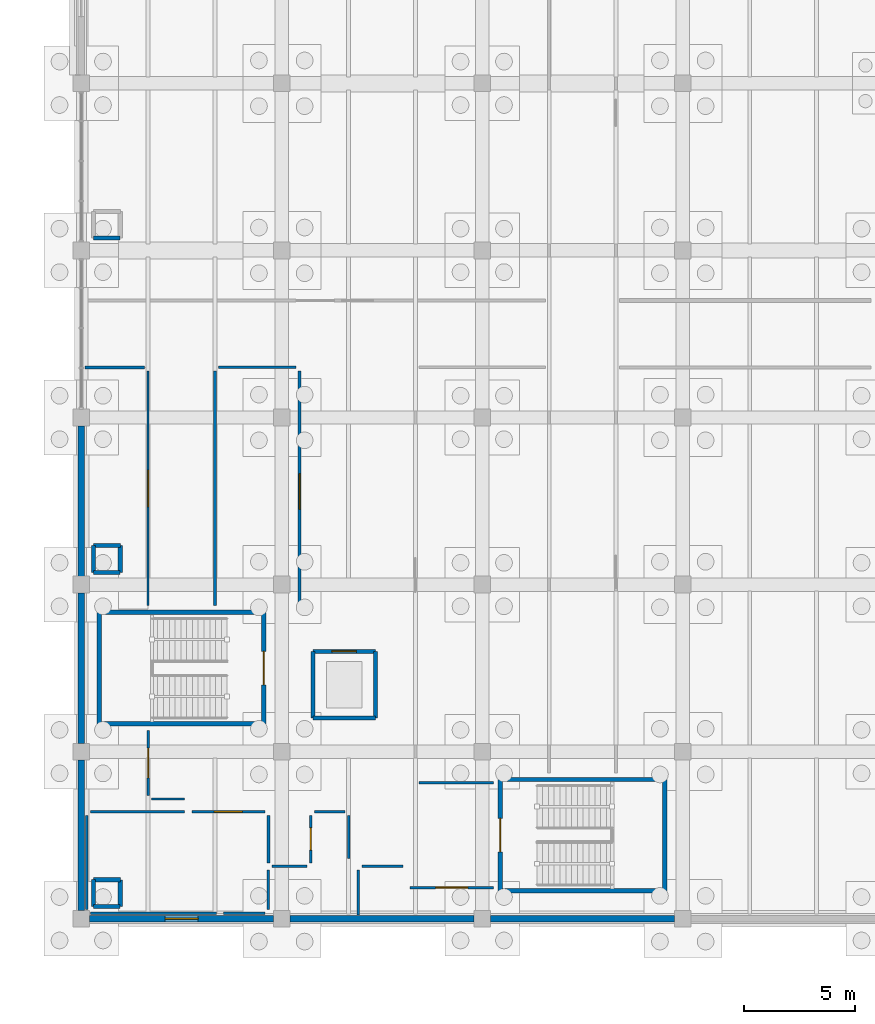
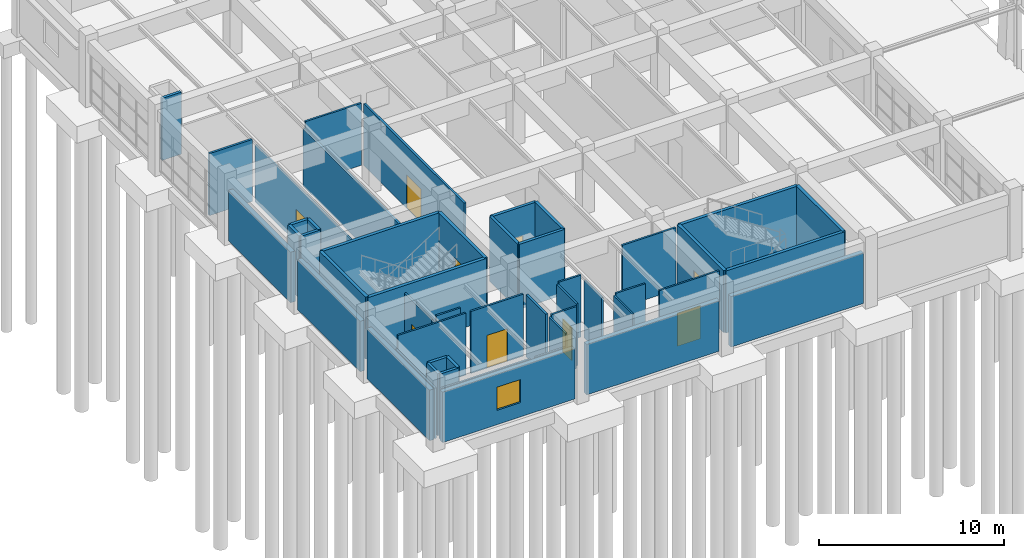
# One storey, part 78 of 93: 49 walls, 9 doors, 1 window, 10 openings.
"""IFC4 building model written with IfcOpenShell, lengths in metres."""

import ifcopenshell
import ifcopenshell.guid

model = None  # the IFC model being written
_history = None  # IfcOwnerHistory: only IFC2X3 demands one
_inside = {}  # id of a spatial element -> (the spatial element, [elements in it])
_under = {}  # id of a project, library or spatial element -> (it, [spatial elements below it])
_declared = {}  # id of a project -> (the project, [libraries it declares])
_typed = {}  # id of a type object -> (the type object, [elements of that type])
_made_of = {}  # id of a material, layer set ... -> (it, [elements and type objects made of it])


def new_model(schema):
    """Start an empty IFC model of exactly this schema.

    Asked for "IFC4X3", IfcOpenShell would pick the latest addendum, in which some entities
    have other attributes; the version numbers below select the first issue.
    IFC2X3 requires an IfcOwnerHistory on every rooted entity: one is made here for all.
    """
    global model, _history
    if schema == "IFC4X3":
        model = ifcopenshell.file(schema_version=(4, 3, 0, 0))
    else:
        model = ifcopenshell.file(schema=schema)
    _inside.clear()
    _under.clear()
    _declared.clear()
    _typed.clear()
    _made_of.clear()
    _history = None
    if model.schema == "IFC2X3":
        org = make("IfcOrganization", Name="unknown")
        user = make(
            "IfcPersonAndOrganization",
            ThePerson=make("IfcPerson", FamilyName="unknown"),
            TheOrganization=org,
        )
        app = make(
            "IfcApplication",
            ApplicationDeveloper=org,
            Version="unknown",
            ApplicationFullName="unknown",
            ApplicationIdentifier="unknown",
        )
        _history = make(
            "IfcOwnerHistory",
            OwningUser=user,
            OwningApplication=app,
            ChangeAction="ADDED",
            CreationDate=0,
        )
    return model


def make(cls, **values):
    """One entity of the class cls with the attributes given. An attribute that is None is left unset."""
    return model.create_entity(
        cls, **{name: value for name, value in values.items() if value is not None}
    )


def rooted(cls, **values):
    """An entity with a GlobalId (a new one), such as an element, a storey or a relation."""
    return make(cls, GlobalId=ifcopenshell.guid.new(), OwnerHistory=_history, **values)


def si_unit(unit_type, name, prefix=None):
    """IfcSIUnit, for example si_unit("LENGTHUNIT", "METRE", prefix="MILLI")."""
    return make("IfcSIUnit", UnitType=unit_type, Prefix=prefix, Name=name)


def assignment(units):
    """IfcUnitAssignment: the units of a project."""
    return None if units is None else make("IfcUnitAssignment", Units=units)


def point(xyz):
    """IfcCartesianPoint."""
    return None if xyz is None else make("IfcCartesianPoint", Coordinates=xyz)


def direction(xyz):
    """IfcDirection."""
    return None if xyz is None else make("IfcDirection", DirectionRatios=xyz)


def frame(location, z_axis=None, x_axis=None):
    """IfcAxis2Placement3D, a coordinate frame: its origin and axes. An axis left out is left unset."""
    return make(
        "IfcAxis2Placement3D",
        Location=point(location),
        Axis=direction(z_axis),
        RefDirection=direction(x_axis),
    )


def frame_2d(location, x_axis=None):
    """IfcAxis2Placement2D, a coordinate frame in the plane: its origin and x axis."""
    return make(
        "IfcAxis2Placement2D", Location=point(location), RefDirection=direction(x_axis)
    )


def origin():
    """The frame at (0, 0, 0) with its axes left unset."""
    return frame((0.0, 0.0, 0.0))


def place(relative_to, where):
    """IfcLocalPlacement: puts the frame where relative to a parent placement (None: the world)."""
    return make(
        "IfcLocalPlacement", PlacementRelTo=relative_to, RelativePlacement=where
    )


def context(
    kind, dimensions, precision=None, world=None, true_north=None, identifier=None
):
    """IfcGeometricRepresentationContext, for example the 3D "Model" context."""
    return make(
        "IfcGeometricRepresentationContext",
        ContextIdentifier=identifier,
        ContextType=kind,
        CoordinateSpaceDimension=dimensions,
        Precision=precision,
        WorldCoordinateSystem=world,
        TrueNorth=true_north,
    )


def subcontext(parent, identifier, kind, view, scale=None):
    """IfcGeometricRepresentationSubContext, for example "Body" below "Model"."""
    return make(
        "IfcGeometricRepresentationSubContext",
        ContextIdentifier=identifier,
        ContextType=kind,
        ParentContext=parent,
        TargetScale=scale,
        TargetView=view,
    )


def project(units=None, contexts=None):
    """IfcProject with its units and contexts."""
    return rooted(
        "IfcProject",
        Name="project",
        RepresentationContexts=contexts,
        UnitsInContext=assignment(units),
    )


def spatial(cls, under=None, at=None, **own):
    """A site, building, storey or space (cls), placed at a placement, below another one or the project."""
    s = rooted(cls, ObjectPlacement=at, **own)
    if under is not None:
        _under.setdefault(under.id(), (under, []))[1].append(s)
    return s


def profile(cls, at=None, kind="AREA", **sizes):
    """A parametric profile (cls). Its sizes go by their IFC names, for example OverallWidth=200.0."""
    return make(cls, ProfileType=kind, Position=at, **sizes)


def rectangle(**sizes):
    """IfcRectangleProfileDef."""
    return profile("IfcRectangleProfileDef", **sizes)


def extrude(swept, where, along, depth):
    """IfcExtrudedAreaSolid: the profile swept, set in the frame where, extruded along a direction by depth."""
    return make(
        "IfcExtrudedAreaSolid",
        SweptArea=swept,
        Position=where,
        ExtrudedDirection=direction(along),
        Depth=depth,
    )


def shape(context_of_items, identifier, shape_type, items):
    """IfcShapeRepresentation: the items that make up one representation, for example the "Body"."""
    return make(
        "IfcShapeRepresentation",
        ContextOfItems=context_of_items,
        RepresentationIdentifier=identifier,
        RepresentationType=shape_type,
        Items=items,
    )


def material(Name=None, Category=None):
    """IfcMaterial."""
    return make("IfcMaterial", Name=Name, Category=Category)


def layer(
    of_material, thickness, ventilated=None, Name=None, Category=None, Priority=None
):
    """IfcMaterialLayer: one layer of a wall or slab, of a material (None: an air gap)."""
    return make(
        "IfcMaterialLayer",
        Material=of_material,
        LayerThickness=thickness,
        IsVentilated=ventilated,
        Name=Name,
        Category=Category,
        Priority=Priority,
    )


def layer_set(layers, Name=None):
    """IfcMaterialLayerSet."""
    return make("IfcMaterialLayerSet", MaterialLayers=layers, LayerSetName=Name)


def made_of(thing, what):
    """Note that an element or type object is made of a material, layer set ...; save() writes the relation."""
    if what is not None:
        _made_of.setdefault(what.id(), (what, []))[1].append(thing)
    return thing


def type_object(cls, material=None, **own):
    """A type object (cls), such as IfcWallType, which elements share."""
    return made_of(rooted(cls, **own), material)


def element(
    cls,
    number,
    at=None,
    inside=None,
    cuts=None,
    type_object=None,
    material=None,
    context=None,
    identifier="Body",
    shape_type=None,
    held_by="IfcProductDefinitionShape",
    body=None,
    shapes=None,
    **own,
):
    """One element of the class cls, such as IfcWall. Its Tag is "e" and its number.

    at: its placement. inside: the storey or other place that contains it. cuts: it is an
    opening in that element (IfcRelVoidsElement). A single representation is given by context,
    identifier, shape_type and body (its items); several are given by shapes. held_by: the class
    of the entity that holds the representations. save() writes the other relations.
    """
    e = rooted(cls, Tag="e%d" % number, ObjectPlacement=at, **own)
    if body is not None:
        shapes = [shape(context, identifier, shape_type, body)]
    if shapes is not None:
        e.Representation = make(held_by, Representations=shapes)
    if inside is not None:
        _inside.setdefault(inside.id(), (inside, []))[1].append(e)
    if cuts is not None:
        rooted(
            "IfcRelVoidsElement", RelatingBuildingElement=cuts, RelatedOpeningElement=e
        )
    if type_object is not None:
        _typed.setdefault(type_object.id(), (type_object, []))[1].append(e)
    return made_of(e, material)


def fill(opening, filler):
    """IfcRelFillsElement: the door or window that sits in an opening."""
    return rooted(
        "IfcRelFillsElement",
        RelatingOpeningElement=opening,
        RelatedBuildingElement=filler,
    )


def aggregate(whole, parts):
    """IfcRelAggregates: a whole, such as a stair, and the parts it consists of."""
    return rooted("IfcRelAggregates", RelatingObject=whole, RelatedObjects=parts)


def save(model, path):
    """Write the relations noted so far, then the file.

    IfcRelAggregates (storeys below a building ...), IfcRelContainedInSpatialStructure (elements
    in a storey), IfcRelDefinesByType, IfcRelAssociatesMaterial and IfcRelDeclares: one each for
    every whole, place, type object, material and project.
    """
    for whole, parts in _under.values():
        aggregate(whole, parts)
    for where, things in _inside.values():
        rooted(
            "IfcRelContainedInSpatialStructure",
            RelatedElements=things,
            RelatingStructure=where,
        )
    for kind, things in _typed.values():
        rooted("IfcRelDefinesByType", RelatedObjects=things, RelatingType=kind)
    for what, things in _made_of.values():
        rooted("IfcRelAssociatesMaterial", RelatedObjects=things, RelatingMaterial=what)
    for by, libraries in _declared.values():
        rooted("IfcRelDeclares", RelatingContext=by, RelatedDefinitions=libraries)
    model.write(path)


model = new_model("IFC4")

# Units and contexts
model_context = context("Model", 3, precision=1e-05, world=origin(), true_north=direction((0.0, 1.0)))
body_context = subcontext(model_context, "Body", "Model", "MODEL_VIEW")
ifc_project = project(units=[si_unit("LENGTHUNIT", "METRE"), si_unit("AREAUNIT", "SQUARE_METRE"), si_unit("VOLUMEUNIT", "CUBIC_METRE"), si_unit("PLANEANGLEUNIT", "RADIAN"), si_unit("MASSUNIT", "GRAM", prefix="KILO")], contexts=[model_context])

# Site, building, storey
site_placement = place(None, origin())
site = spatial("IfcSite", under=ifc_project, at=site_placement, CompositionType="ELEMENT")
building_placement = place(site_placement, origin())
building = spatial("IfcBuilding", under=site, at=building_placement, Name="Marnridge Secondary College", CompositionType="ELEMENT")
storey_placement = place(building_placement, origin())
storey = spatial("IfcBuildingStorey", under=building, at=storey_placement, Name="L00", CompositionType="ELEMENT", Elevation=0.0)

# Wall
ifc_material_1 = material(Name="Concrete C40/50 (AS 3600 N40, 40 MPa)", Category="concrete")
ifc_layer_1 = layer(ifc_material_1, 0.199951171875)
ifc_layer_set_1 = layer_set([ifc_layer_1], Name="WT-CORE-RC200")
wall_type_1 = type_object("IfcWallType", Name="WT-CORE-RC200", PredefinedType="SHEAR", material=ifc_layer_set_1)
wall_1_placement = place(storey_placement, frame((0.800048828125, 8.75, 0.0), z_axis=(0.0, 0.0, 1.0), x_axis=(1.0, 0.0, 0.0)))
element("IfcWall", 1, at=wall_1_placement, inside=storey, type_object=wall_type_1, Name="Stair core shear wall WC-L00-0297", PredefinedType="SHEAR", context=body_context, shape_type="SweptSolid", body=[
    extrude(rectangle(XDim=7.39990234375, YDim=0.199951171875, at=frame_2d((3.699951171875, 0.0))), origin(), (0.0, 0.0, 1.0), 4.090087890625),
])

# Wall, opening, door
wall_2_placement = place(storey_placement, frame((8.199951171875, 13.75, 0.0), z_axis=(0.0, 0.0, 1.0), x_axis=(0.0, -1.0, 0.0)))
wall_2 = element("IfcWall", 2, at=wall_2_placement, inside=storey, type_object=wall_type_1, Name="Stair core shear wall WC-L00-0298", PredefinedType="SHEAR", context=body_context, shape_type="SweptSolid", body=[
    extrude(rectangle(XDim=5.0, YDim=0.199951171875, at=frame_2d((2.5, 0.0))), origin(), (0.0, 0.0, 1.0), 4.090087890625),
])
opening_1_placement = place(wall_2_placement, frame((1.75, 0.0, 0.0)))
opening_1 = element("IfcOpeningElement", 3, at=opening_1_placement, cuts=wall_2, Name="Opening DC-L00-013", PredefinedType="OPENING", context=body_context, shape_type="SweptSolid", body=[
    extrude(rectangle(XDim=1.5, YDim=2.14990234375, at=frame_2d((0.75, 1.074951171875))), frame((0.0, 0.10986328125, 0.0), z_axis=(0.0, -1.0, 0.0), x_axis=(1.0, 0.0, 0.0)), (0.0, 0.0, 1.0), 0.219970703125),
])
ifc_material_2 = material(Name="Fire-rated solid-core timber doorset", Category="wood")
door_type_1 = type_object("IfcDoorType", Name="DT-CORE-FD150", OperationType="DOUBLE_DOOR_SINGLE_SWING", PredefinedType="DOOR", material=ifc_material_2)
door_1_placement = place(opening_1_placement, origin())
door_1 = element("IfcDoor", 4, at=door_1_placement, inside=storey, type_object=door_type_1, Name="Fire stair door DC-L00-013", OperationType="DOUBLE_DOOR_SINGLE_SWING", OverallHeight=2.14990234375, OverallWidth=1.5, PredefinedType="DOOR", context=body_context, shape_type="SweptSolid", body=[
    extrude(rectangle(XDim=1.5, YDim=2.14990234375, at=frame_2d((0.75, 1.074951171875))), frame((0.0, 0.02490234375, 0.0), z_axis=(0.0, -1.0, 0.0), x_axis=(1.0, 0.0, 0.0)), (0.0, 0.0, 1.0), 0.050048828125),
])
fill(opening_1, door_1)

# Walls
wall_3_placement = place(storey_placement, frame((8.199951171875, 13.75, 0.0), z_axis=(0.0, 0.0, 1.0), x_axis=(-1.0, 0.0, 0.0)))
element("IfcWall", 5, at=wall_3_placement, inside=storey, type_object=wall_type_1, Name="Stair core shear wall WC-L00-0299", PredefinedType="SHEAR", context=body_context, shape_type="SweptSolid", body=[
    extrude(rectangle(XDim=7.39990234375, YDim=0.199951171875, at=frame_2d((3.699951171875, 0.0))), origin(), (0.0, 0.0, 1.0), 4.090087890625),
])
wall_4_placement = place(storey_placement, frame((0.800048828125, 13.75, 0.0), z_axis=(0.0, 0.0, 1.0), x_axis=(0.0, -1.0, 0.0)))
element("IfcWall", 6, at=wall_4_placement, inside=storey, type_object=wall_type_1, Name="Stair core shear wall WC-L00-0300", PredefinedType="SHEAR", context=body_context, shape_type="SweptSolid", body=[
    extrude(rectangle(XDim=5.0, YDim=0.199951171875, at=frame_2d((2.5, 0.0))), origin(), (0.0, 0.0, 1.0), 4.090087890625),
])
wall_5_placement = place(storey_placement, frame((18.800048828125, 1.25, 0.0), z_axis=(0.0, 0.0, 1.0), x_axis=(1.0, 0.0, 0.0)))
element("IfcWall", 7, at=wall_5_placement, inside=storey, type_object=wall_type_1, Name="Stair core shear wall WC-L00-0317", PredefinedType="SHEAR", context=body_context, shape_type="SweptSolid", body=[
    extrude(rectangle(XDim=7.39990234375, YDim=0.199951171875, at=frame_2d((3.699951171875, 0.0))), origin(), (0.0, 0.0, 1.0), 4.090087890625),
])
wall_6_placement = place(storey_placement, frame((26.199951171875, 1.25, 0.0), z_axis=(0.0, 0.0, 1.0), x_axis=(0.0, 1.0, 0.0)))
element("IfcWall", 8, at=wall_6_placement, inside=storey, type_object=wall_type_1, Name="Stair core shear wall WC-L00-0318", PredefinedType="SHEAR", context=body_context, shape_type="SweptSolid", body=[
    extrude(rectangle(XDim=5.0, YDim=0.199951171875, at=frame_2d((2.5, 0.0))), origin(), (0.0, 0.0, 1.0), 4.090087890625),
])
wall_7_placement = place(storey_placement, frame((26.199951171875, 6.25, 0.0), z_axis=(0.0, 0.0, 1.0), x_axis=(-1.0, 0.0, 0.0)))
element("IfcWall", 9, at=wall_7_placement, inside=storey, type_object=wall_type_1, Name="Stair core shear wall WC-L00-0319", PredefinedType="SHEAR", context=body_context, shape_type="SweptSolid", body=[
    extrude(rectangle(XDim=7.39990234375, YDim=0.199951171875, at=frame_2d((3.699951171875, 0.0))), origin(), (0.0, 0.0, 1.0), 4.090087890625),
])

# Wall, opening, door
wall_8_placement = place(storey_placement, frame((18.800048828125, 1.25, 0.0), z_axis=(0.0, 0.0, 1.0), x_axis=(0.0, 1.0, 0.0)))
wall_8 = element("IfcWall", 10, at=wall_8_placement, inside=storey, type_object=wall_type_1, Name="Stair core shear wall WC-L00-0320", PredefinedType="SHEAR", context=body_context, shape_type="SweptSolid", body=[
    extrude(rectangle(XDim=5.0, YDim=0.199951171875, at=frame_2d((2.5, 0.0))), origin(), (0.0, 0.0, 1.0), 4.090087890625),
])
opening_2_placement = place(wall_8_placement, frame((1.75, 0.0, 0.0)))
opening_2 = element("IfcOpeningElement", 11, at=opening_2_placement, cuts=wall_8, Name="Opening DC-L00-018", PredefinedType="OPENING", context=body_context, shape_type="SweptSolid", body=[
    extrude(rectangle(XDim=1.5, YDim=2.14990234375, at=frame_2d((0.75, 1.074951171875))), frame((0.0, 0.10986328125, 0.0), z_axis=(0.0, -1.0, 0.0), x_axis=(1.0, 0.0, 0.0)), (0.0, 0.0, 1.0), 0.219970703125),
])
door_2_placement = place(opening_2_placement, origin())
door_2 = element("IfcDoor", 12, at=door_2_placement, inside=storey, type_object=door_type_1, Name="Fire stair door DC-L00-018", OperationType="DOUBLE_DOOR_SINGLE_SWING", OverallHeight=2.14990234375, OverallWidth=1.5, PredefinedType="DOOR", context=body_context, shape_type="SweptSolid", body=[
    extrude(rectangle(XDim=1.5, YDim=2.14990234375, at=frame_2d((0.75, 1.074951171875))), frame((0.0, 0.02490234375, 0.0), z_axis=(0.0, -1.0, 0.0), x_axis=(1.0, 0.0, 0.0)), (0.0, 0.0, 1.0), 0.050048828125),
])
fill(opening_2, door_2)

# Walls
ifc_material_3 = material(Name="Concrete C40/50 (AS 3600 N40, 40 MPa)", Category="concrete")
ifc_layer_2 = layer(ifc_material_3, 0.280029296875)
ifc_layer_set_2 = layer_set([ifc_layer_2], Name="WT-EXT-RC280")
wall_type_2 = type_object("IfcWallType", Name="WT-EXT-RC280", PredefinedType="SOLIDWALL", material=ifc_layer_set_2)
for number, where, z_axis, x_axis, name in (
    (13, (26.62890625, 0.0, 0.0), (0.0, 0.0, 1.0), (-1.0, 0.0, 0.0), "Exterior wall WE-L00-0075"),
    (14, (17.62890625, 0.0, 0.0), (0.0, 0.0, 1.0), (-1.0, 0.0, 0.0), "Exterior wall WE-L00-0076"),
):
    element("IfcWall", number, at=place(storey_placement, frame(where, z_axis=z_axis, x_axis=x_axis)), inside=storey, type_object=wall_type_2, Name=name, PredefinedType="SOLIDWALL", context=body_context, shape_type="SweptSolid", body=[
        extrude(rectangle(XDim=8.2578125, YDim=0.280029296875, at=frame_2d((4.12890625, 0.0))), origin(), (0.0, 0.0, 1.0), 3.33203125),
    ])

# Wall, opening, window
wall_9_placement = place(storey_placement, frame((8.62890625, 0.0, 0.0), z_axis=(0.0, 0.0, 1.0), x_axis=(-1.0, 0.0, 0.0)))
wall_9 = element("IfcWall", 15, at=wall_9_placement, inside=storey, type_object=wall_type_2, Name="Exterior wall WE-L00-0077", PredefinedType="SOLIDWALL", context=body_context, shape_type="SweptSolid", body=[
    extrude(rectangle(XDim=8.2578125, YDim=0.280029296875, at=frame_2d((4.12890625, 0.0))), origin(), (0.0, 0.0, 1.0), 3.33203125),
])
opening_3_placement = place(wall_9_placement, frame((3.388916015625, 0.0, 0.949951171875)))
opening_3 = element("IfcOpeningElement", 16, at=opening_3_placement, cuts=wall_9, Name="Opening WN-L00-0026", PredefinedType="OPENING", context=body_context, shape_type="SweptSolid", body=[
    extrude(rectangle(XDim=1.47998046875, YDim=1.52001953125, at=frame_2d((0.739990234375, 0.760009765625))), frame((0.0, 0.14990234375, 0.0), z_axis=(0.0, -1.0, 0.0), x_axis=(1.0, 0.0, 0.0)), (0.0, 0.0, 1.0), 0.300048828125),
])
ifc_material_4 = material(Name="Solar-control low-E double glazing", Category="glass")
window_type = type_object("IfcWindowType", Name="WN-EXT-V04", PartitioningType="DOUBLE_PANEL_VERTICAL", PredefinedType="WINDOW", material=ifc_material_4)
window_placement = place(opening_3_placement, origin())
window = element("IfcWindow", 17, at=window_placement, inside=storey, type_object=window_type, Name="Facade window WN-L00-0026", OverallHeight=1.52001953125, OverallWidth=1.47998046875, PartitioningType="DOUBLE_PANEL_VERTICAL", PredefinedType="WINDOW", context=body_context, shape_type="SweptSolid", body=[
    extrude(rectangle(XDim=1.47998046875, YDim=1.52001953125, at=frame_2d((0.739990234375, 0.760009765625))), frame((0.0, 0.030029296875, 0.0), z_axis=(0.0, -1.0, 0.0), x_axis=(1.0, 0.0, 0.0)), (0.0, 0.0, 1.0), 0.06005859375),
])
fill(opening_3, window)

# Walls
for number, where, z_axis, x_axis, name in (
    (18, (0.0, 0.37109375, 0.0), (0.0, 0.0, 1.0), (0.0, 1.0, 0.0), "Exterior wall WE-L00-0078"),
    (19, (0.0, 7.87109375, 0.0), (0.0, 0.0, 1.0), (0.0, 1.0, 0.0), "Exterior wall WE-L00-0079"),
    (20, (0.0, 15.37109375, 0.0), (0.0, 0.0, 1.0), (0.0, 1.0, 0.0), "Exterior wall WE-L00-0080"),
):
    element("IfcWall", number, at=place(storey_placement, frame(where, z_axis=z_axis, x_axis=x_axis)), inside=storey, type_object=wall_type_2, Name=name, PredefinedType="SOLIDWALL", context=body_context, shape_type="SweptSolid", body=[
        extrude(rectangle(XDim=6.7578125, YDim=0.280029296875, at=frame_2d((3.37890625, 0.0))), origin(), (0.0, 0.0, 1.0), 3.33203125),
    ])

# Wall, opening, door
ifc_material_5 = material(Name="Acoustic plasterboard partition Rw45", Category="gypsum")
ifc_layer_3 = layer(ifc_material_5, 0.1201171875)
ifc_layer_set_3 = layer_set([ifc_layer_3], Name="WT-PART-AC120")
wall_type_3 = type_object("IfcWallType", Name="WT-PART-AC120", PredefinedType="PARTITIONING", material=ifc_layer_set_3)
wall_10_placement = place(storey_placement, frame((8.239990234375, 4.800048828125, 0.0), z_axis=(0.0, 0.0, 1.0), x_axis=(-1.0, 0.0, 0.0)))
wall_10 = element("IfcWall", 21, at=wall_10_placement, inside=storey, type_object=wall_type_3, Name="Interior partition WP-L00-0099", PredefinedType="PARTITIONING", context=body_context, shape_type="SweptSolid", body=[
    extrude(rectangle(XDim=3.280029296875, YDim=0.1201171875, at=frame_2d((1.64013671875, 0.0))), origin(), (0.0, 0.0, 1.0), 4.090087890625),
])
opening_4_placement = place(wall_10_placement, frame((1.0048828125, 0.0, 0.0)))
opening_4 = element("IfcOpeningElement", 22, at=opening_4_placement, cuts=wall_10, Name="Opening DI-L00-0034", PredefinedType="OPENING", context=body_context, shape_type="SweptSolid", body=[
    extrude(rectangle(XDim=1.27001953125, YDim=2.159912109375, at=frame_2d((0.635009765625, 1.080078125))), frame((0.0, 0.070068359375, 0.0), z_axis=(0.0, -1.0, 0.0), x_axis=(1.0, 0.0, 0.0)), (0.0, 0.0, 1.0), 0.14013671875),
])
ifc_material_6 = material(Name="Solid-core acoustic hoop-pine classroom doorset", Category="wood")
door_type_2 = type_object("IfcDoorType", Name="DT-RM-VAR10", OperationType="NOTDEFINED", PredefinedType="DOOR", material=ifc_material_6)
door_3_placement = place(opening_4_placement, origin())
door_3 = element("IfcDoor", 23, at=door_3_placement, inside=storey, type_object=door_type_2, Name="Interior door DI-L00-0034", OperationType="SINGLE_SWING_RIGHT", OverallHeight=2.159912109375, OverallWidth=1.27001953125, PredefinedType="DOOR", context=body_context, shape_type="SweptSolid", body=[
    extrude(rectangle(XDim=1.27001953125, YDim=2.159912109375, at=frame_2d((0.635009765625, 1.080078125))), frame((0.0, 0.02490234375, 0.0), z_axis=(0.0, -1.0, 0.0), x_axis=(1.0, 0.0, 0.0)), (0.0, 0.0, 1.0), 0.050048828125),
])
fill(opening_4, door_3)

# Walls
wall_11_placement = place(storey_placement, frame((15.159912109375, 6.10009765625, 0.0), z_axis=(0.0, 0.0, 1.0), x_axis=(1.0, 0.0, 0.0)))
element("IfcWall", 24, at=wall_11_placement, inside=storey, type_object=wall_type_3, Name="Interior partition WP-L00-0115", PredefinedType="PARTITIONING", context=body_context, shape_type="SweptSolid", body=[
    extrude(rectangle(XDim=3.340087890625, YDim=0.1201171875, at=frame_2d((1.669921875, 0.0))), origin(), (0.0, 0.0, 1.0), 4.090087890625),
])
wall_12_placement = place(storey_placement, frame((9.639892578125, 24.75, 0.0), z_axis=(0.0, 0.0, 1.0), x_axis=(-1.0, 0.0, 0.0)))
element("IfcWall", 25, at=wall_12_placement, inside=storey, type_object=wall_type_3, Name="Interior partition WP-L00-0117", PredefinedType="PARTITIONING", context=body_context, shape_type="SweptSolid", body=[
    extrude(rectangle(XDim=3.47998046875, YDim=0.1201171875, at=frame_2d((1.739990234375, 0.0))), origin(), (0.0, 0.0, 1.0), 4.090087890625),
])
ifc_material_7 = material(Name="Acoustic plasterboard partition Rw48", Category="gypsum")
ifc_layer_4 = layer(ifc_material_7, 0.135009765625)
ifc_layer_set_4 = layer_set([ifc_layer_4], Name="WT-PART-AC135")
wall_type_4 = type_object("IfcWallType", Name="WT-PART-AC135", PredefinedType="PARTITIONING", material=ifc_layer_set_4)
wall_13_placement = place(storey_placement, frame((8.39990234375, 2.510009765625, 0.0), z_axis=(0.0, 0.0, 1.0), x_axis=(0.0, 1.0, 0.0)))
element("IfcWall", 26, at=wall_13_placement, inside=storey, type_object=wall_type_4, Name="Interior partition WP-L00-0100", PredefinedType="PARTITIONING", context=body_context, shape_type="SweptSolid", body=[
    extrude(rectangle(XDim=2.1298828125, YDim=0.135009765625, at=frame_2d((1.06494140625, 0.0))), origin(), (0.0, 0.0, 1.0), 4.090087890625),
])

# Wall, opening, door
wall_14_placement = place(storey_placement, frame((9.800048828125, 13.760009765625, 0.0), z_axis=(0.0, 0.0, 1.0), x_axis=(0.0, 1.0, 0.0)))
wall_14 = element("IfcWall", 27, at=wall_14_placement, inside=storey, type_object=wall_type_4, Name="Interior partition WP-L00-0116", PredefinedType="PARTITIONING", context=body_context, shape_type="SweptSolid", body=[
    extrude(rectangle(XDim=10.830078125, YDim=0.135009765625, at=frame_2d((5.4150390625, 0.0))), origin(), (0.0, 0.0, 1.0), 4.090087890625),
])
opening_5_placement = place(wall_14_placement, frame((4.625, 0.0, 0.0)))
opening_5 = element("IfcOpeningElement", 28, at=opening_5_placement, cuts=wall_14, Name="Opening DI-L00-0040", PredefinedType="OPENING", context=body_context, shape_type="SweptSolid", body=[
    extrude(rectangle(XDim=1.580078125, YDim=2.199951171875, at=frame_2d((0.7900390625, 1.10009765625))), frame((0.0, 0.077392578125, 0.0), z_axis=(0.0, -1.0, 0.0), x_axis=(1.0, 0.0, 0.0)), (0.0, 0.0, 1.0), 0.155029296875),
])
ifc_material_8 = material(Name="Solid-core acoustic hoop-pine classroom doorset", Category="wood")
door_type_3 = type_object("IfcDoorType", Name="DT-RM-VAR16", OperationType="NOTDEFINED", PredefinedType="DOOR", material=ifc_material_8)
door_4_placement = place(opening_5_placement, origin())
door_4 = element("IfcDoor", 29, at=door_4_placement, inside=storey, type_object=door_type_3, Name="Interior door DI-L00-0040", OperationType="SINGLE_SWING_RIGHT", OverallHeight=2.199951171875, OverallWidth=1.580078125, PredefinedType="DOOR", context=body_context, shape_type="SweptSolid", body=[
    extrude(rectangle(XDim=1.580078125, YDim=2.199951171875, at=frame_2d((0.7900390625, 1.10009765625))), frame((0.0, 0.02490234375, 0.0), z_axis=(0.0, -1.0, 0.0), x_axis=(1.0, 0.0, 0.0)), (0.0, 0.0, 1.0), 0.050048828125),
])
fill(opening_5, door_4)

# Walls
wall_15_placement = place(storey_placement, frame((6.0, 24.590087890625, 0.0), z_axis=(0.0, 0.0, 1.0), x_axis=(0.0, -1.0, 0.0)))
element("IfcWall", 30, at=wall_15_placement, inside=storey, type_object=wall_type_4, Name="Interior partition WP-L00-0118", PredefinedType="PARTITIONING", context=body_context, shape_type="SweptSolid", body=[
    extrude(rectangle(XDim=10.5400390625, YDim=0.135009765625, at=frame_2d((5.27001953125, 0.0))), origin(), (0.0, 0.0, 1.0), 3.77490234375),
])
wall_16_placement = place(storey_placement, frame((2.840087890625, 24.75, 0.0), z_axis=(0.0, 0.0, 1.0), x_axis=(-1.0, 0.0, 0.0)))
element("IfcWall", 31, at=wall_16_placement, inside=storey, type_object=wall_type_4, Name="Interior partition WP-L00-0120", PredefinedType="PARTITIONING", context=body_context, shape_type="SweptSolid", body=[
    extrude(rectangle(XDim=2.68017578125, YDim=0.135009765625, at=frame_2d((1.340087890625, 0.0))), origin(), (0.0, 0.0, 1.0), 4.090087890625),
])

# Wall, opening, door
ifc_material_9 = material(Name="Acoustic glazed studio partition system", Category="gypsum")
ifc_layer_5 = layer(ifc_material_9, 0.10009765625)
ifc_layer_set_5 = layer_set([ifc_layer_5], Name="WT-PART-GL100")
wall_type_5 = type_object("IfcWallType", Name="WT-PART-GL100", PredefinedType="PARTITIONING", material=ifc_layer_set_5)
wall_17_placement = place(storey_placement, frame((3.0, 14.050048828125, 0.0), z_axis=(0.0, 0.0, 1.0), x_axis=(0.0, 1.0, 0.0)))
wall_17 = element("IfcWall", 32, at=wall_17_placement, inside=storey, type_object=wall_type_5, Name="Interior partition WP-L00-0119", PredefinedType="PARTITIONING", context=body_context, shape_type="SweptSolid", body=[
    extrude(rectangle(XDim=10.5400390625, YDim=0.10009765625, at=frame_2d((5.27001953125, 0.0))), origin(), (0.0, 0.0, 1.0), 3.77490234375),
])
opening_6_placement = place(wall_17_placement, frame((4.449951171875, 0.0, 0.0)))
opening_6 = element("IfcOpeningElement", 33, at=opening_6_placement, cuts=wall_17, Name="Opening DI-L00-0041", PredefinedType="OPENING", context=body_context, shape_type="SweptSolid", body=[
    extrude(rectangle(XDim=1.639892578125, YDim=2.199951171875, at=frame_2d((0.81982421875, 1.10009765625))), frame((0.0, 0.06005859375, 0.0), z_axis=(0.0, -1.0, 0.0), x_axis=(1.0, 0.0, 0.0)), (0.0, 0.0, 1.0), 0.1201171875),
])
ifc_material_10 = material(Name="Solid-core acoustic hoop-pine classroom doorset", Category="wood")
door_type_4 = type_object("IfcDoorType", Name="DT-RM-VAR17", OperationType="NOTDEFINED", PredefinedType="DOOR", material=ifc_material_10)
door_5_placement = place(opening_6_placement, origin())
door_5 = element("IfcDoor", 34, at=door_5_placement, inside=storey, type_object=door_type_4, Name="Interior door DI-L00-0041", OperationType="SINGLE_SWING_LEFT", OverallHeight=2.199951171875, OverallWidth=1.639892578125, PredefinedType="DOOR", context=body_context, shape_type="SweptSolid", body=[
    extrude(rectangle(XDim=1.639892578125, YDim=2.199951171875, at=frame_2d((0.81982421875, 1.10009765625))), frame((0.0, 0.02490234375, 0.0), z_axis=(0.0, -1.0, 0.0), x_axis=(1.0, 0.0, 0.0)), (0.0, 0.0, 1.0), 0.050048828125),
])
fill(opening_6, door_5)

# Walls
ifc_material_11 = material(Name="Moisture-resistant plasterboard sanitary partition", Category="gypsum")
ifc_layer_6 = layer(ifc_material_11, 0.110107421875)
ifc_layer_set_6 = layer_set([ifc_layer_6], Name="WT-PART-WT110")
wall_type_6 = type_object("IfcWallType", Name="WT-PART-WT110", PredefinedType="PARTITIONING", material=ifc_layer_set_6)
wall_18_placement = place(storey_placement, frame((0.25, 4.639892578125, 0.0), z_axis=(0.0, 0.0, 1.0), x_axis=(0.0, -1.0, 0.0)))
element("IfcWall", 35, at=wall_18_placement, inside=storey, type_object=wall_type_6, Name="Interior partition WP-L00-0094", PredefinedType="PARTITIONING", context=body_context, shape_type="SweptSolid", body=[
    extrude(rectangle(XDim=4.22998046875, YDim=0.110107421875, at=frame_2d((2.114990234375, 0.0))), origin(), (0.0, 0.0, 1.0), 3.33203125),
])
wall_19_placement = place(storey_placement, frame((4.639892578125, 4.800048828125, 0.0), z_axis=(0.0, 0.0, 1.0), x_axis=(-1.0, 0.0, 0.0)))
element("IfcWall", 36, at=wall_19_placement, inside=storey, type_object=wall_type_6, Name="Interior partition WP-L00-0095", PredefinedType="PARTITIONING", context=body_context, shape_type="SweptSolid", body=[
    extrude(rectangle(XDim=4.22998046875, YDim=0.110107421875, at=frame_2d((2.114990234375, 0.0))), origin(), (0.0, 0.0, 1.0), 4.090087890625),
])
wall_20_placement = place(storey_placement, frame((0.409912109375, 0.25, 0.0), z_axis=(0.0, 0.0, 1.0), x_axis=(1.0, 0.0, 0.0)))
element("IfcWall", 37, at=wall_20_placement, inside=storey, type_object=wall_type_6, Name="Interior partition WP-L00-0096", PredefinedType="PARTITIONING", context=body_context, shape_type="SweptSolid", body=[
    extrude(rectangle(XDim=5.650146484375, YDim=0.110107421875, at=frame_2d((2.8251953125, 0.0))), origin(), (0.0, 0.0, 1.0), 3.33203125),
])
wall_21_placement = place(storey_placement, frame((8.39990234375, 0.409912109375, 0.0), z_axis=(0.0, 0.0, 1.0), x_axis=(0.0, 1.0, 0.0)))
element("IfcWall", 38, at=wall_21_placement, inside=storey, type_object=wall_type_6, Name="Interior partition WP-L00-0097", PredefinedType="PARTITIONING", context=body_context, shape_type="SweptSolid", body=[
    extrude(rectangle(XDim=1.780029296875, YDim=0.110107421875, at=frame_2d((0.89013671875, 0.0))), origin(), (0.0, 0.0, 1.0), 4.090087890625),
])
wall_22_placement = place(storey_placement, frame((6.3798828125, 0.25, 0.0), z_axis=(0.0, 0.0, 1.0), x_axis=(1.0, 0.0, 0.0)))
element("IfcWall", 39, at=wall_22_placement, inside=storey, type_object=wall_type_6, Name="Interior partition WP-L00-0098", PredefinedType="PARTITIONING", context=body_context, shape_type="SweptSolid", body=[
    extrude(rectangle(XDim=1.860107421875, YDim=0.110107421875, at=frame_2d((0.93017578125, 0.0))), origin(), (0.0, 0.0, 1.0), 3.33203125),
])

# Wall, opening, door
wall_23_placement = place(storey_placement, frame((3.0, 5.534912109375, 0.0), z_axis=(0.0, 0.0, 1.0), x_axis=(0.0, 1.0, 0.0)))
wall_23 = element("IfcWall", 40, at=wall_23_placement, inside=storey, type_object=wall_type_6, Name="Interior partition WP-L00-0101", PredefinedType="PARTITIONING", context=body_context, shape_type="SweptSolid", body=[
    extrude(rectangle(XDim=2.9150390625, YDim=0.110107421875, at=frame_2d((1.45751953125, 0.0))), origin(), (0.0, 0.0, 1.0), 3.77490234375),
])
opening_7_placement = place(wall_23_placement, frame((0.79248046875, 0.0, 0.0)))
opening_7 = element("IfcOpeningElement", 41, at=opening_7_placement, cuts=wall_23, Name="Opening DI-L00-0035", PredefinedType="OPENING", context=body_context, shape_type="SweptSolid", body=[
    extrude(rectangle(XDim=1.330078125, YDim=2.179931640625, at=frame_2d((0.6650390625, 1.08984375))), frame((0.0, 0.06494140625, 0.0), z_axis=(0.0, -1.0, 0.0), x_axis=(1.0, 0.0, 0.0)), (0.0, 0.0, 1.0), 0.130126953125),
])
ifc_material_12 = material(Name="Solid-core acoustic hoop-pine classroom doorset", Category="wood")
door_type_5 = type_object("IfcDoorType", Name="DT-RM-VAR11", OperationType="NOTDEFINED", PredefinedType="DOOR", material=ifc_material_12)
door_6_placement = place(opening_7_placement, origin())
door_6 = element("IfcDoor", 42, at=door_6_placement, inside=storey, type_object=door_type_5, Name="Interior door DI-L00-0035", OperationType="SINGLE_SWING_LEFT", OverallHeight=2.179931640625, OverallWidth=1.330078125, PredefinedType="DOOR", context=body_context, shape_type="SweptSolid", body=[
    extrude(rectangle(XDim=1.330078125, YDim=2.179931640625, at=frame_2d((0.6650390625, 1.08984375))), frame((0.0, 0.02490234375, 0.0), z_axis=(0.0, -1.0, 0.0), x_axis=(1.0, 0.0, 0.0)), (0.0, 0.0, 1.0), 0.050048828125),
])
fill(opening_7, door_6)

# Walls
wall_24_placement = place(storey_placement, frame((4.639892578125, 5.375, 0.0), z_axis=(0.0, 0.0, 1.0), x_axis=(-1.0, 0.0, 0.0)))
element("IfcWall", 43, at=wall_24_placement, inside=storey, type_object=wall_type_6, Name="Interior partition WP-L00-0102", PredefinedType="PARTITIONING", context=body_context, shape_type="SweptSolid", body=[
    extrude(rectangle(XDim=1.47998046875, YDim=0.110107421875, at=frame_2d((0.739990234375, 0.0))), origin(), (0.0, 0.0, 1.0), 4.090087890625),
])
wall_25_placement = place(storey_placement, frame((12.43994140625, 0.159912109375, 0.0), z_axis=(0.0, 0.0, 1.0), x_axis=(0.0, 1.0, 0.0)))
element("IfcWall", 44, at=wall_25_placement, inside=storey, type_object=wall_type_6, Name="Interior partition WP-L00-0103", PredefinedType="PARTITIONING", context=body_context, shape_type="SweptSolid", body=[
    extrude(rectangle(XDim=2.030029296875, YDim=0.110107421875, at=frame_2d((1.01513671875, 0.0))), origin(), (0.0, 0.0, 1.0), 4.090087890625),
])
wall_26_placement = place(storey_placement, frame((10.139892578125, 2.35009765625, 0.0), z_axis=(0.0, 0.0, 1.0), x_axis=(-1.0, 0.0, 0.0)))
element("IfcWall", 45, at=wall_26_placement, inside=storey, type_object=wall_type_6, Name="Interior partition WP-L00-0104", PredefinedType="PARTITIONING", context=body_context, shape_type="SweptSolid", body=[
    extrude(rectangle(XDim=1.579833984375, YDim=0.110107421875, at=frame_2d((0.7900390625, 0.0))), origin(), (0.0, 0.0, 1.0), 4.090087890625),
])

# Wall, opening, door
wall_27_placement = place(storey_placement, frame((10.300048828125, 4.639892578125, 0.0), z_axis=(0.0, 0.0, 1.0), x_axis=(0.0, -1.0, 0.0)))
wall_27 = element("IfcWall", 46, at=wall_27_placement, inside=storey, type_object=wall_type_6, Name="Interior partition WP-L00-0105", PredefinedType="PARTITIONING", context=body_context, shape_type="SweptSolid", body=[
    extrude(rectangle(XDim=2.1298828125, YDim=0.110107421875, at=frame_2d((1.06494140625, 0.0))), origin(), (0.0, 0.0, 1.0), 4.090087890625),
])
opening_8_placement = place(wall_27_placement, frame((0.56494140625, 0.0, 0.0)))
opening_8 = element("IfcOpeningElement", 47, at=opening_8_placement, cuts=wall_27, Name="Opening DI-L00-0036", PredefinedType="OPENING", context=body_context, shape_type="SweptSolid", body=[
    extrude(rectangle(XDim=1.0, YDim=2.14990234375, at=frame_2d((0.5, 1.074951171875))), frame((0.0, 0.06494140625, 0.0), z_axis=(0.0, -1.0, 0.0), x_axis=(1.0, 0.0, 0.0)), (0.0, 0.0, 1.0), 0.130126953125),
])
ifc_material_13 = material(Name="Solid-core acoustic hoop-pine classroom doorset", Category="wood")
door_type_6 = type_object("IfcDoorType", Name="DT-CLS-100", OperationType="NOTDEFINED", PredefinedType="DOOR", material=ifc_material_13)
door_7_placement = place(opening_8_placement, origin())
door_7 = element("IfcDoor", 48, at=door_7_placement, inside=storey, type_object=door_type_6, Name="Interior door DI-L00-0036", OperationType="SINGLE_SWING_RIGHT", OverallHeight=2.14990234375, OverallWidth=1.0, PredefinedType="DOOR", context=body_context, shape_type="SweptSolid", body=[
    extrude(rectangle(XDim=1.0, YDim=2.14990234375, at=frame_2d((0.5, 1.074951171875))), frame((0.0, 0.02490234375, 0.0), z_axis=(0.0, -1.0, 0.0), x_axis=(1.0, 0.0, 0.0)), (0.0, 0.0, 1.0), 0.050048828125),
])
fill(opening_8, door_7)

# Walls
wall_28_placement = place(storey_placement, frame((11.840087890625, 4.800048828125, 0.0), z_axis=(0.0, 0.0, 1.0), x_axis=(-1.0, 0.0, 0.0)))
element("IfcWall", 49, at=wall_28_placement, inside=storey, type_object=wall_type_6, Name="Interior partition WP-L00-0106", PredefinedType="PARTITIONING", context=body_context, shape_type="SweptSolid", body=[
    extrude(rectangle(XDim=1.380126953125, YDim=0.110107421875, at=frame_2d((0.68994140625, 0.0))), origin(), (0.0, 0.0, 1.0), 4.090087890625),
])
wall_29_placement = place(storey_placement, frame((12.0, 2.7099609375, 0.0), z_axis=(0.0, 0.0, 1.0), x_axis=(0.0, 1.0, 0.0)))
element("IfcWall", 50, at=wall_29_placement, inside=storey, type_object=wall_type_6, Name="Interior partition WP-L00-0107", PredefinedType="PARTITIONING", context=body_context, shape_type="SweptSolid", body=[
    extrude(rectangle(XDim=1.929931640625, YDim=0.110107421875, at=frame_2d((0.96484375, 0.0))), origin(), (0.0, 0.0, 1.0), 3.77490234375),
])
wall_30_placement = place(storey_placement, frame((14.43994140625, 2.35009765625, 0.0), z_axis=(0.0, 0.0, 1.0), x_axis=(-1.0, 0.0, 0.0)))
element("IfcWall", 51, at=wall_30_placement, inside=storey, type_object=wall_type_6, Name="Interior partition WP-L00-0108", PredefinedType="PARTITIONING", context=body_context, shape_type="SweptSolid", body=[
    extrude(rectangle(XDim=1.83984375, YDim=0.110107421875, at=frame_2d((0.919921875, 0.0))), origin(), (0.0, 0.0, 1.0), 4.090087890625),
])

# Wall, opening, door
wall_31_placement = place(storey_placement, frame((14.760009765625, 1.39990234375, 0.0), z_axis=(0.0, 0.0, 1.0), x_axis=(1.0, 0.0, 0.0)))
wall_31 = element("IfcWall", 52, at=wall_31_placement, inside=storey, type_object=wall_type_6, Name="Interior partition WP-L00-0109", PredefinedType="PARTITIONING", context=body_context, shape_type="SweptSolid", body=[
    extrude(rectangle(XDim=3.739990234375, YDim=0.110107421875, at=frame_2d((1.8701171875, 0.0))), origin(), (0.0, 0.0, 1.0), 4.090087890625),
])
opening_9_placement = place(wall_31_placement, frame((1.14990234375, 0.0, 0.0)))
opening_9 = element("IfcOpeningElement", 53, at=opening_9_placement, cuts=wall_31, Name="Opening DI-L00-0037", PredefinedType="OPENING", context=body_context, shape_type="SweptSolid", body=[
    extrude(rectangle(XDim=1.43994140625, YDim=2.179931640625, at=frame_2d((0.719970703125, 1.08984375))), frame((0.0, 0.06494140625, 0.0), z_axis=(0.0, -1.0, 0.0), x_axis=(1.0, 0.0, 0.0)), (0.0, 0.0, 1.0), 0.130126953125),
])
ifc_material_14 = material(Name="Solid-core acoustic hoop-pine classroom doorset", Category="wood")
door_type_7 = type_object("IfcDoorType", Name="DT-RM-VAR13", OperationType="NOTDEFINED", PredefinedType="DOOR", material=ifc_material_14)
door_8_placement = place(opening_9_placement, origin())
door_8 = element("IfcDoor", 54, at=door_8_placement, inside=storey, type_object=door_type_7, Name="Interior door DI-L00-0037", OperationType="SINGLE_SWING_LEFT", OverallHeight=2.179931640625, OverallWidth=1.43994140625, PredefinedType="DOOR", context=body_context, shape_type="SweptSolid", body=[
    extrude(rectangle(XDim=1.43994140625, YDim=2.179931640625, at=frame_2d((0.719970703125, 1.08984375))), frame((0.0, 0.02490234375, 0.0), z_axis=(0.0, -1.0, 0.0), x_axis=(1.0, 0.0, 0.0)), (0.0, 0.0, 1.0), 0.050048828125),
])
fill(opening_9, door_8)

# Walls
ifc_material_15 = material(Name="Concrete C40/50 (AS 3600 N40, 40 MPa)", Category="concrete")
ifc_layer_7 = layer(ifc_material_15, 0.179931640625)
ifc_layer_set_7 = layer_set([ifc_layer_7], Name="WT-SHAFT-RC180")
wall_type_7 = type_object("IfcWallType", Name="WT-SHAFT-RC180", PredefinedType="SHEAR", material=ifc_layer_set_7)
for number, where, z_axis, x_axis, name in (
    (55, (1.75, 0.550048828125, 0.0), (0.0, 0.0, 1.0), (-1.0, 0.0, 0.0), "Service riser shaft wall WR-L00-0045"),
    (56, (0.550048828125, 0.550048828125, 0.0), (0.0, 0.0, 1.0), (0.0, 1.0, 0.0), "Service riser shaft wall WR-L00-0046"),
    (57, (0.550048828125, 1.75, 0.0), (0.0, 0.0, 1.0), (1.0, 0.0, 0.0), "Service riser shaft wall WR-L00-0047"),
    (58, (1.75, 1.75, 0.0), (0.0, 0.0, 1.0), (0.0, -1.0, 0.0), "Service riser shaft wall WR-L00-0048"),
    (59, (1.75, 15.550048828125, 0.0), (0.0, 0.0, 1.0), (-1.0, 0.0, 0.0), "Service riser shaft wall WR-L00-0049"),
    (60, (0.550048828125, 15.550048828125, 0.0), (0.0, 0.0, 1.0), (0.0, 1.0, 0.0), "Service riser shaft wall WR-L00-0050"),
    (61, (0.550048828125, 16.75, 0.0), (0.0, 0.0, 1.0), (1.0, 0.0, 0.0), "Service riser shaft wall WR-L00-0051"),
    (62, (1.75, 16.75, 0.0), (0.0, 0.0, 1.0), (0.0, -1.0, 0.0), "Service riser shaft wall WR-L00-0052"),
    (63, (1.75, 30.550048828125, 0.0), (0.0, 0.0, 1.0), (-1.0, 0.0, 0.0), "Service riser shaft wall WR-L00-0053"),
):
    element("IfcWall", number, at=place(storey_placement, frame(where, z_axis=z_axis, x_axis=x_axis)), inside=storey, type_object=wall_type_7, Name=name, PredefinedType="SHEAR", context=body_context, shape_type="SweptSolid", body=[
        extrude(rectangle(XDim=1.199951171875, YDim=0.179931640625, at=frame_2d((0.60009765625, 0.0))), origin(), (0.0, 0.0, 1.0), 4.090087890625),
    ])
wall_32_placement = place(storey_placement, frame((13.199951171875, 9.0, -0.199951171875), z_axis=(0.0, 0.0, 1.0), x_axis=(-1.0, 0.0, 0.0)))
element("IfcWall", 64, at=wall_32_placement, inside=storey, type_object=wall_type_7, Name="Lift shaft wall WL-L00-0433", PredefinedType="SHEAR", context=body_context, shape_type="SweptSolid", body=[
    extrude(rectangle(XDim=2.800048828125, YDim=0.179931640625, at=frame_2d((1.39990234375, 0.0))), origin(), (0.0, 0.0, 1.0), 4.2900390625),
])
wall_33_placement = place(storey_placement, frame((10.39990234375, 9.0, -0.199951171875), z_axis=(0.0, 0.0, 1.0), x_axis=(0.0, 1.0, 0.0)))
element("IfcWall", 65, at=wall_33_placement, inside=storey, type_object=wall_type_7, Name="Lift shaft wall WL-L00-0434", PredefinedType="SHEAR", context=body_context, shape_type="SweptSolid", body=[
    extrude(rectangle(XDim=3.0, YDim=0.179931640625, at=frame_2d((1.5, 0.0))), origin(), (0.0, 0.0, 1.0), 4.2900390625),
])

# Wall, opening, door
wall_34_placement = place(storey_placement, frame((10.39990234375, 12.0, -0.199951171875), z_axis=(0.0, 0.0, 1.0), x_axis=(1.0, 0.0, 0.0)))
wall_34 = element("IfcWall", 66, at=wall_34_placement, inside=storey, type_object=wall_type_7, Name="Lift shaft wall WL-L00-0435", PredefinedType="SHEAR", context=body_context, shape_type="SweptSolid", body=[
    extrude(rectangle(XDim=2.800048828125, YDim=0.179931640625, at=frame_2d((1.39990234375, 0.0))), origin(), (0.0, 0.0, 1.0), 4.2900390625),
])
opening_10_placement = place(wall_34_placement, frame((0.85009765625, 0.0, 0.199951171875)))
opening_10 = element("IfcOpeningElement", 67, at=opening_10_placement, cuts=wall_34, Name="Opening LD-LC-02-L00", PredefinedType="OPENING", context=body_context, shape_type="SweptSolid", body=[
    extrude(rectangle(XDim=1.10009765625, YDim=2.14990234375, at=frame_2d((0.550048828125, 1.074951171875))), frame((0.0, 0.099853515625, 0.0), z_axis=(0.0, -1.0, 0.0), x_axis=(1.0, 0.0, 0.0)), (0.0, 0.0, 1.0), 0.199951171875),
])
ifc_material_16 = material(Name="Stainless steel Grade 350 automatic sliding lift landing doorset", Category="steel")
door_type_8 = type_object("IfcDoorType", Name="DT-LIFT-LD110", OperationType="SLIDING_TO_LEFT", PredefinedType="DOOR", material=ifc_material_16)
door_9_placement = place(opening_10_placement, origin())
door_9 = element("IfcDoor", 68, at=door_9_placement, inside=storey, type_object=door_type_8, Name="Sliding lift landing door LD-LC-02-L00", OperationType="SLIDING_TO_LEFT", OverallHeight=2.14990234375, OverallWidth=1.10009765625, PredefinedType="DOOR", context=body_context, shape_type="SweptSolid", body=[
    extrude(rectangle(XDim=1.10009765625, YDim=2.14990234375, at=frame_2d((0.550048828125, 1.074951171875))), frame((0.0, 0.02490234375, 0.0), z_axis=(0.0, -1.0, 0.0), x_axis=(1.0, 0.0, 0.0)), (0.0, 0.0, 1.0), 0.050048828125),
])
fill(opening_10, door_9)

# Wall
wall_35_placement = place(storey_placement, frame((13.199951171875, 12.0, -0.199951171875), z_axis=(0.0, 0.0, 1.0), x_axis=(0.0, -1.0, 0.0)))
element("IfcWall", 69, at=wall_35_placement, inside=storey, type_object=wall_type_7, Name="Lift shaft wall WL-L00-0436", PredefinedType="SHEAR", context=body_context, shape_type="SweptSolid", body=[
    extrude(rectangle(XDim=3.0, YDim=0.179931640625, at=frame_2d((1.5, 0.0))), origin(), (0.0, 0.0, 1.0), 4.2900390625),
])

save(model, "model.ifc")
